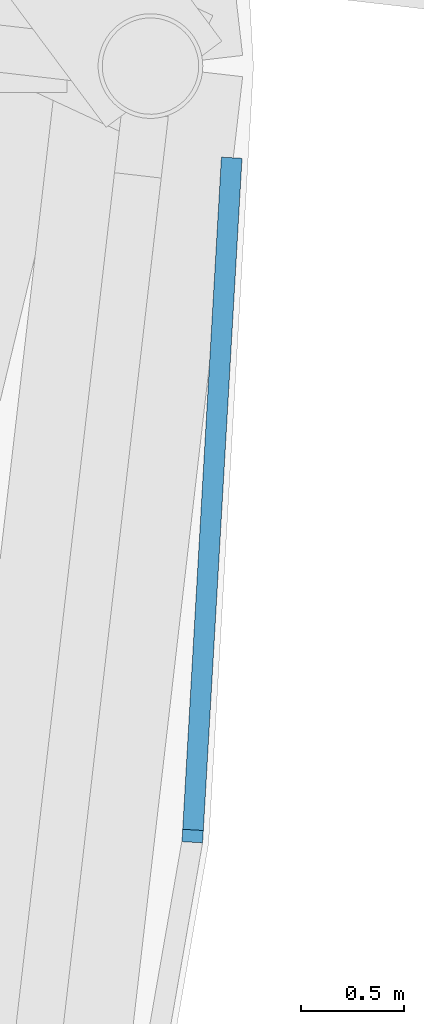
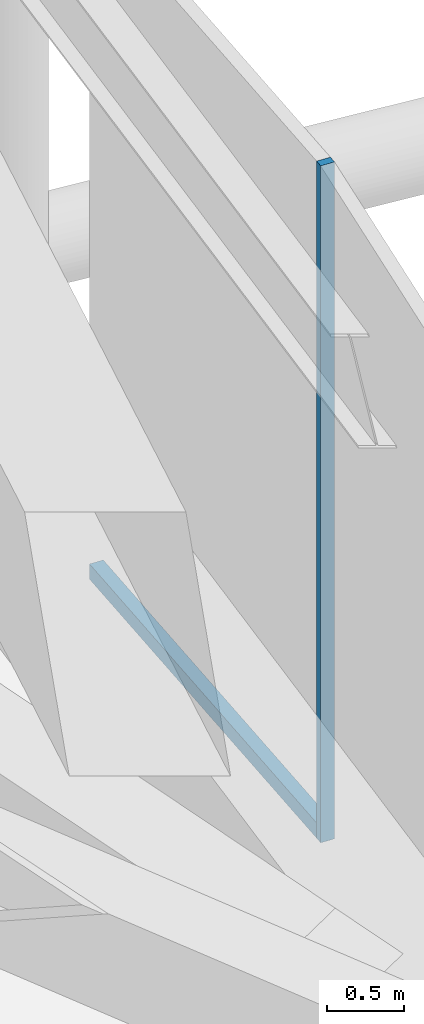
# One storey, part 26 of 60: 2 members, 1 element without a shape of its own.
"""IFC4 building model written with IfcOpenShell, lengths in metres."""

from ifc_helpers import new_model, si_unit, direction, frame, origin, origin_2d, place, context, subcontext, project, spatial, rectangle, extrude, material, layer, layer_set, material_profile, profile_set, type_object, element, aggregate, save


model = new_model("IFC4")

# Units and contexts
model_context = context("Model", 3, precision=1e-05, world=origin(), true_north=direction((0.0, 1.0)))
body_context = subcontext(model_context, "Body", "Model", "MODEL_VIEW")
ifc_project = project(units=[si_unit("LENGTHUNIT", "METRE"), si_unit("AREAUNIT", "SQUARE_METRE"), si_unit("VOLUMEUNIT", "CUBIC_METRE"), si_unit("PLANEANGLEUNIT", "RADIAN"), si_unit("MASSUNIT", "GRAM", prefix="KILO")], contexts=[model_context])

# Site, building, storey
site_placement = place(None, origin())
site = spatial("IfcSite", under=ifc_project, at=site_placement, CompositionType="ELEMENT")
building_placement = place(site_placement, origin())
building = spatial("IfcBuilding", under=site, at=building_placement, Name="Nagisa Residences", CompositionType="ELEMENT")
storey_placement = place(building_placement, frame((0.0, 0.0, 206.60009765625)))
storey = spatial("IfcBuildingStorey", under=building, at=storey_placement, Name="L52", CompositionType="ELEMENT", Elevation=206.60009765625)

# Curtain wall, members
ifc_material_1 = material(Name="Aluminium curtain wall system", Category="aluminium")
ifc_layer = layer(ifc_material_1, 0.159912109375)
ifc_layer_set = layer_set([ifc_layer], Name="CW5 CURTAIN WALL")
curtain_wall_type = type_object("IfcCurtainWallType", Name="CW5 CURTAIN WALL", PredefinedType="NOTDEFINED", material=ifc_layer_set)
curtain_wall_placement = place(storey_placement, origin())
curtain_wall = element("IfcCurtainWall", 1, at=curtain_wall_placement, inside=storey, type_object=curtain_wall_type, Name="cw:CW5:L52:47", PredefinedType="NOTDEFINED")
ifc_material_2 = material(Name="Aluminium", Category="aluminium")
ifc_material_profile_1 = material_profile(ifc_material_2, rectangle(XDim=0.10009765625, YDim=0.06005859375, at=origin_2d()), Name="CW5 MULLION 100x60")
ifc_profile_set_1 = profile_set([ifc_material_profile_1], Name="Aluminium")
member_type_1 = type_object("IfcMemberType", Name="CW5 MULLION 100x60", PredefinedType="MULLION", material=ifc_profile_set_1)
member_1_placement = place(storey_placement, frame((28.6796875, -3.734375, 0.0), z_axis=(0.0, 0.0, 1.0), x_axis=(-0.998345305184, 0.057503492216, 0.0)))
member_1 = element("IfcMember", 2, at=member_1_placement, type_object=member_type_1, Name="CW5 mullion", PredefinedType="MULLION", context=body_context, shape_type="SweptSolid", body=[
    extrude(rectangle(XDim=0.10009765625, YDim=0.06005859375, at=origin_2d()), origin(), (0.0, 0.0, 1.0), 5.33984375),
])
ifc_material_3 = material(Name="Aluminium", Category="aluminium")
ifc_material_profile_2 = material_profile(ifc_material_3, rectangle(XDim=0.10009765625, YDim=0.1201171875, at=origin_2d()), Name="CW5 TRANSOM 100x120")
ifc_profile_set_2 = profile_set([ifc_material_profile_2], Name="Aluminium")
member_type_2 = type_object("IfcMemberType", Name="CW5 TRANSOM 100x120", PredefinedType="USERDEFINED", material=ifc_profile_set_2)
member_2_placement = place(storey_placement, frame((28.677978515625, -3.764404296875, 0.059814453125), z_axis=(0.057486772167, 0.998346268098, 0.0), x_axis=(-0.998346268098, 0.057486772167, 0.0)))
member_2 = element("IfcMember", 3, at=member_2_placement, type_object=member_type_2, Name="CW5 transom", ObjectType="TRANSOM", PredefinedType="USERDEFINED", context=body_context, shape_type="SweptSolid", body=[
    extrude(rectangle(XDim=0.10009765625, YDim=0.1201171875, at=origin_2d()), origin(), (0.0, 0.0, 1.0), 3.325439453125),
])
aggregate(curtain_wall, [member_1, member_2])

save(model, "model.ifc")
